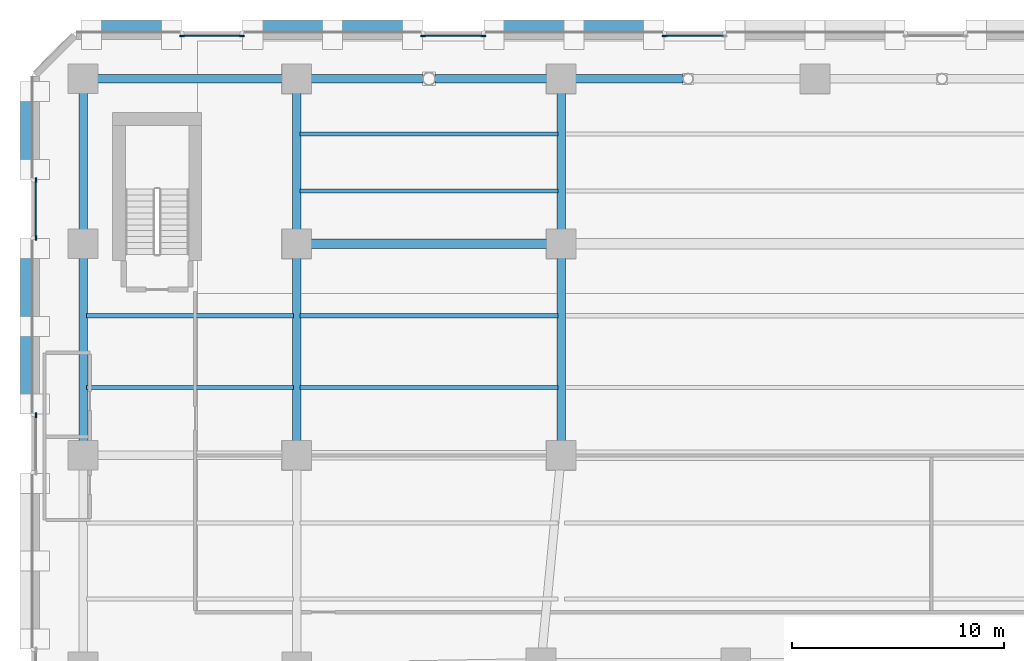
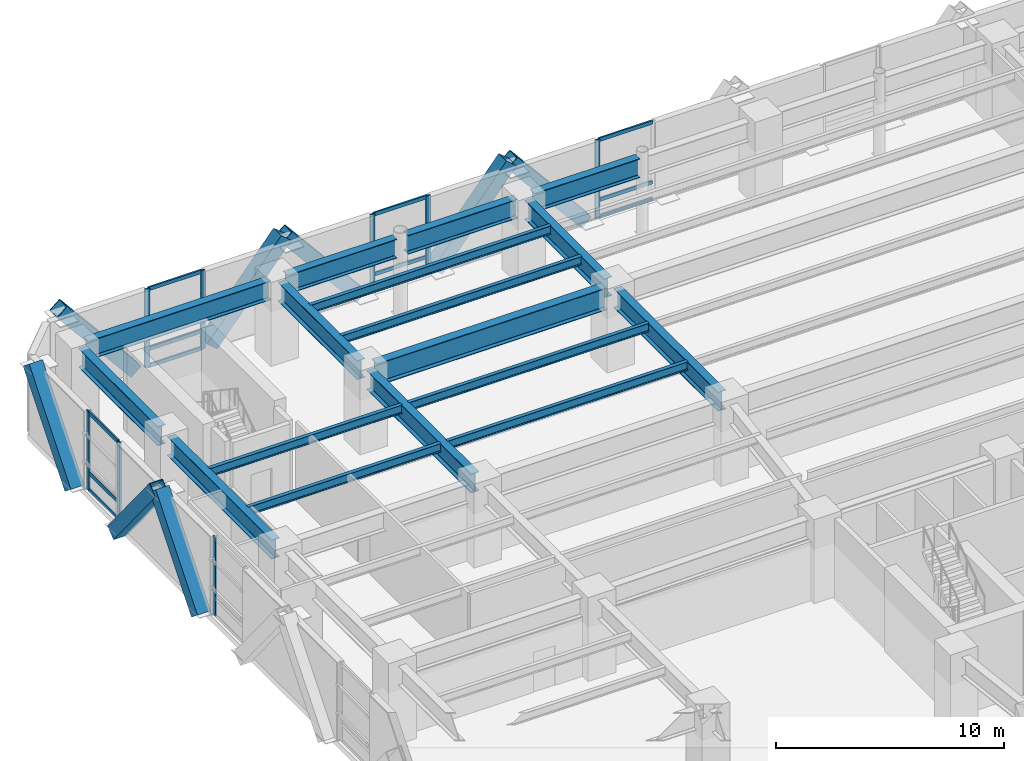
# One storey, part 8 of 26: 28 members, 17 beams, 5 elements without a shape of their own.
"""IFC4 building model written with IfcOpenShell, lengths in metres."""

from ifc_helpers import new_model, si_unit, direction, frame, origin, origin_2d, place, context, subcontext, project, spatial, rectangle, hollow_rectangle, i_section, extrude, material, material_profile, profile_set, type_object, element, aggregate, save


model = new_model("IFC4")

# Units and contexts
model_context = context("Model", 3, precision=1e-05, world=origin(), true_north=direction((0.0, 1.0)))
body_context = subcontext(model_context, "Body", "Model", "MODEL_VIEW")
ifc_project = project(units=[si_unit("LENGTHUNIT", "METRE"), si_unit("AREAUNIT", "SQUARE_METRE"), si_unit("VOLUMEUNIT", "CUBIC_METRE"), si_unit("PLANEANGLEUNIT", "RADIAN"), si_unit("MASSUNIT", "GRAM", prefix="KILO")], contexts=[model_context])

# Site, building, storey
site_placement = place(None, origin())
site = spatial("IfcSite", under=ifc_project, at=site_placement, CompositionType="ELEMENT")
building_placement = place(site_placement, origin())
building = spatial("IfcBuilding", under=site, at=building_placement, Name="Quenlor Broadcast Tower", CompositionType="ELEMENT")
storey_placement = place(building_placement, frame((0.0, 0.0, 14.0)))
storey = spatial("IfcBuildingStorey", under=building, at=storey_placement, Name="L03", CompositionType="ELEMENT", Elevation=14.0)

# Curtain wall, members
ifc_material_1 = material(Name="Architectural Terracotta and Low-E Glazing", Category="masonry")
curtain_wall_type = type_object("IfcCurtainWallType", Name="Station Concourse and Crown Terracotta Curtain Wall", PredefinedType="NOTDEFINED", material=ifc_material_1)
curtain_wall_1_placement = place(storey_placement, origin())
curtain_wall_1 = element("IfcCurtainWall", 1, at=curtain_wall_1_placement, inside=storey, type_object=curtain_wall_type, Name="L03 Curtain Wall CW6 (L03-N-FULL-G1)", PredefinedType="NOTDEFINED")
ifc_material_2 = material(Name="Aluminium 6063-T6", Category="aluminium")
ifc_material_profile_1 = material_profile(ifc_material_2, rectangle(XDim=0.08203125, YDim=0.239990234375, at=origin_2d()))
ifc_profile_set_1 = profile_set([ifc_material_profile_1], Name="Aluminium 6063-T6 MULL82x240")
member_type_1 = type_object("IfcMemberType", Name="CW6 Aluminium Mullion MULL_CW6", PredefinedType="MULLION", material=ifc_profile_set_1)
member_1_placement = place(storey_placement, frame((-29.909423828125, 24.820068359375, 0.0), z_axis=(0.0, 0.0, 1.0), x_axis=(0.0, 1.0, 0.0)))
member_1 = element("IfcMember", 2, at=member_1_placement, type_object=member_type_1, Name="CW6 mullion 1", PredefinedType="MULLION", context=body_context, shape_type="SweptSolid", body=[
    extrude(rectangle(XDim=0.08203125, YDim=0.239990234375, at=origin_2d()), origin(), (0.0, 0.0, 1.0), 4.199951171875),
])
member_2_placement = place(storey_placement, frame((-27.090576171875, 24.820068359375, 0.0), z_axis=(0.0, 0.0, 1.0), x_axis=(0.0, 1.0, 0.0)))
member_2 = element("IfcMember", 3, at=member_2_placement, type_object=member_type_1, Name="CW6 mullion 2", PredefinedType="MULLION", context=body_context, shape_type="SweptSolid", body=[
    extrude(rectangle(XDim=0.08203125, YDim=0.239990234375, at=origin_2d()), origin(), (0.0, 0.0, 1.0), 4.199951171875),
])

curtain_wall_2_placement = place(storey_placement, origin())
curtain_wall_2 = element("IfcCurtainWall", 4, at=curtain_wall_2_placement, inside=storey, type_object=curtain_wall_type, Name="L03 Curtain Wall CW6 (L03-N-FULL-G2)", PredefinedType="NOTDEFINED")
member_3_placement = place(storey_placement, frame((-18.509521484375, 24.820068359375, 0.0), z_axis=(0.0, 0.0, 1.0), x_axis=(0.0, 1.0, 0.0)))
member_3 = element("IfcMember", 5, at=member_3_placement, type_object=member_type_1, Name="CW6 mullion 1", PredefinedType="MULLION", context=body_context, shape_type="SweptSolid", body=[
    extrude(rectangle(XDim=0.08203125, YDim=0.239990234375, at=origin_2d()), origin(), (0.0, 0.0, 1.0), 4.199951171875),
])
member_4_placement = place(storey_placement, frame((-15.6904296875, 24.820068359375, 0.0), z_axis=(0.0, 0.0, 1.0), x_axis=(0.0, 1.0, 0.0)))
member_4 = element("IfcMember", 6, at=member_4_placement, type_object=member_type_1, Name="CW6 mullion 2", PredefinedType="MULLION", context=body_context, shape_type="SweptSolid", body=[
    extrude(rectangle(XDim=0.08203125, YDim=0.239990234375, at=origin_2d()), origin(), (0.0, 0.0, 1.0), 4.199951171875),
])

# Curtain wall, member
curtain_wall_3_placement = place(storey_placement, origin())
curtain_wall_3 = element("IfcCurtainWall", 7, at=curtain_wall_3_placement, inside=storey, type_object=curtain_wall_type, Name="L03 Curtain Wall CW6 (L03-N-FULL-G3)", PredefinedType="NOTDEFINED")
member_5_placement = place(storey_placement, frame((-7.109619140625, 24.820068359375, 0.0), z_axis=(0.0, 0.0, 1.0), x_axis=(0.0, 1.0, 0.0)))
member_5 = element("IfcMember", 8, at=member_5_placement, type_object=member_type_1, Name="CW6 mullion 1", PredefinedType="MULLION", context=body_context, shape_type="SweptSolid", body=[
    extrude(rectangle(XDim=0.08203125, YDim=0.239990234375, at=origin_2d()), origin(), (0.0, 0.0, 1.0), 4.199951171875),
])

curtain_wall_4_placement = place(storey_placement, origin())
curtain_wall_4 = element("IfcCurtainWall", 9, at=curtain_wall_4_placement, inside=storey, type_object=curtain_wall_type, Name="L03 Curtain Wall CW6 (L03-W-FULL-G3)", PredefinedType="NOTDEFINED")
member_6_placement = place(storey_placement, frame((-36.820068359375, 6.90625, 0.0), z_axis=(0.0, 0.0, 1.0), x_axis=(-1.0, 0.0, 0.0)))
member_6 = element("IfcMember", 10, at=member_6_placement, type_object=member_type_1, Name="CW6 mullion 2", PredefinedType="MULLION", context=body_context, shape_type="SweptSolid", body=[
    extrude(rectangle(XDim=0.08203125, YDim=0.239990234375, at=origin_2d()), origin(), (0.0, 0.0, 1.0), 4.199951171875),
])
aggregate(curtain_wall_4, [member_6])

# Curtain wall, members
curtain_wall_5_placement = place(storey_placement, origin())
curtain_wall_5 = element("IfcCurtainWall", 11, at=curtain_wall_5_placement, inside=storey, type_object=curtain_wall_type, Name="L03 Curtain Wall CW6 (L03-W-FULL-G4)", PredefinedType="NOTDEFINED")
member_7_placement = place(storey_placement, frame((-36.820068359375, 15.293701171875, 0.0), z_axis=(0.0, 0.0, 1.0), x_axis=(-1.0, 0.0, 0.0)))
member_7 = element("IfcMember", 12, at=member_7_placement, type_object=member_type_1, Name="CW6 mullion 1", PredefinedType="MULLION", context=body_context, shape_type="SweptSolid", body=[
    extrude(rectangle(XDim=0.08203125, YDim=0.239990234375, at=origin_2d()), origin(), (0.0, 0.0, 1.0), 4.199951171875),
])
member_8_placement = place(storey_placement, frame((-36.820068359375, 18.00634765625, 0.0), z_axis=(0.0, 0.0, 1.0), x_axis=(-1.0, 0.0, 0.0)))
member_8 = element("IfcMember", 13, at=member_8_placement, type_object=member_type_1, Name="CW6 mullion 2", PredefinedType="MULLION", context=body_context, shape_type="SweptSolid", body=[
    extrude(rectangle(XDim=0.08203125, YDim=0.239990234375, at=origin_2d()), origin(), (0.0, 0.0, 1.0), 4.199951171875),
])

# Member
ifc_material_3 = material(Name="Aluminium 6063-T6", Category="aluminium")
ifc_material_profile_2 = material_profile(ifc_material_3, rectangle(XDim=0.08203125, YDim=0.195068359375, at=origin_2d()))
ifc_profile_set_2 = profile_set([ifc_material_profile_2], Name="Aluminium 6063-T6 TRAN82x195")
member_type_2 = type_object("IfcMemberType", Name="CW6 Aluminium Transom TRAN_CW6", PredefinedType="USERDEFINED", material=ifc_profile_set_2)
member_9_placement = place(storey_placement, frame((-29.868408203125, 24.820068359375, 0.041015625), z_axis=(1.0, 0.0, 0.0), x_axis=(0.0, 1.0, 0.0)))
member_9 = element("IfcMember", 14, at=member_9_placement, type_object=member_type_2, Name="CW6 transom 1.1", ObjectType="TRANSOM", PredefinedType="USERDEFINED", context=body_context, shape_type="SweptSolid", body=[
    extrude(rectangle(XDim=0.08203125, YDim=0.195068359375, at=origin_2d()), origin(), (0.0, 0.0, 1.0), 2.73681640625),
])

member_10_placement = place(storey_placement, frame((-29.868408203125, 24.820068359375, 0.949951171875), z_axis=(1.0, 0.0, 0.0), x_axis=(0.0, 1.0, 0.0)))
member_10 = element("IfcMember", 15, at=member_10_placement, type_object=member_type_2, Name="CW6 transom 1.2", ObjectType="TRANSOM", PredefinedType="USERDEFINED", context=body_context, shape_type="SweptSolid", body=[
    extrude(rectangle(XDim=0.08203125, YDim=0.195068359375, at=origin_2d()), origin(), (0.0, 0.0, 1.0), 2.73681640625),
])

member_11_placement = place(storey_placement, frame((-29.868408203125, 24.820068359375, 4.158935546875), z_axis=(1.0, 0.0, 0.0), x_axis=(0.0, 1.0, 0.0)))
member_11 = element("IfcMember", 16, at=member_11_placement, type_object=member_type_2, Name="CW6 transom 1.3", ObjectType="TRANSOM", PredefinedType="USERDEFINED", context=body_context, shape_type="SweptSolid", body=[
    extrude(rectangle(XDim=0.08203125, YDim=0.195068359375, at=origin_2d()), origin(), (0.0, 0.0, 1.0), 2.73681640625),
])

aggregate(curtain_wall_1, [member_1, member_2, member_9, member_10, member_11])

member_12_placement = place(storey_placement, frame((-18.468505859375, 24.820068359375, 0.041015625), z_axis=(1.0, 0.0, 0.0), x_axis=(0.0, 1.0, 0.0)))
member_12 = element("IfcMember", 17, at=member_12_placement, type_object=member_type_2, Name="CW6 transom 1.1", ObjectType="TRANSOM", PredefinedType="USERDEFINED", context=body_context, shape_type="SweptSolid", body=[
    extrude(rectangle(XDim=0.08203125, YDim=0.195068359375, at=origin_2d()), origin(), (0.0, 0.0, 1.0), 2.737060546875),
])

member_13_placement = place(storey_placement, frame((-18.468505859375, 24.820068359375, 0.949951171875), z_axis=(1.0, 0.0, 0.0), x_axis=(0.0, 1.0, 0.0)))
member_13 = element("IfcMember", 18, at=member_13_placement, type_object=member_type_2, Name="CW6 transom 1.2", ObjectType="TRANSOM", PredefinedType="USERDEFINED", context=body_context, shape_type="SweptSolid", body=[
    extrude(rectangle(XDim=0.08203125, YDim=0.195068359375, at=origin_2d()), origin(), (0.0, 0.0, 1.0), 2.737060546875),
])

member_14_placement = place(storey_placement, frame((-18.468505859375, 24.820068359375, 4.158935546875), z_axis=(1.0, 0.0, 0.0), x_axis=(0.0, 1.0, 0.0)))
member_14 = element("IfcMember", 19, at=member_14_placement, type_object=member_type_2, Name="CW6 transom 1.3", ObjectType="TRANSOM", PredefinedType="USERDEFINED", context=body_context, shape_type="SweptSolid", body=[
    extrude(rectangle(XDim=0.08203125, YDim=0.195068359375, at=origin_2d()), origin(), (0.0, 0.0, 1.0), 2.737060546875),
])

aggregate(curtain_wall_2, [member_3, member_4, member_12, member_13, member_14])

member_15_placement = place(storey_placement, frame((-7.068603515625, 24.820068359375, 0.041015625), z_axis=(1.0, 0.0, 0.0), x_axis=(0.0, 1.0, 0.0)))
member_15 = element("IfcMember", 20, at=member_15_placement, type_object=member_type_2, Name="CW6 transom 1.1", ObjectType="TRANSOM", PredefinedType="USERDEFINED", context=body_context, shape_type="SweptSolid", body=[
    extrude(rectangle(XDim=0.08203125, YDim=0.195068359375, at=origin_2d()), origin(), (0.0, 0.0, 1.0), 2.737060546875),
])

member_16_placement = place(storey_placement, frame((-7.068603515625, 24.820068359375, 0.949951171875), z_axis=(1.0, 0.0, 0.0), x_axis=(0.0, 1.0, 0.0)))
member_16 = element("IfcMember", 21, at=member_16_placement, type_object=member_type_2, Name="CW6 transom 1.2", ObjectType="TRANSOM", PredefinedType="USERDEFINED", context=body_context, shape_type="SweptSolid", body=[
    extrude(rectangle(XDim=0.08203125, YDim=0.195068359375, at=origin_2d()), origin(), (0.0, 0.0, 1.0), 2.737060546875),
])

member_17_placement = place(storey_placement, frame((-7.068603515625, 24.820068359375, 4.158935546875), z_axis=(1.0, 0.0, 0.0), x_axis=(0.0, 1.0, 0.0)))
member_17 = element("IfcMember", 22, at=member_17_placement, type_object=member_type_2, Name="CW6 transom 1.3", ObjectType="TRANSOM", PredefinedType="USERDEFINED", context=body_context, shape_type="SweptSolid", body=[
    extrude(rectangle(XDim=0.08203125, YDim=0.195068359375, at=origin_2d()), origin(), (0.0, 0.0, 1.0), 2.737060546875),
])

aggregate(curtain_wall_3, [member_5, member_15, member_16, member_17])

member_18_placement = place(storey_placement, frame((-36.820068359375, 15.334716796875, 0.041015625), z_axis=(0.0, 1.0, 0.0), x_axis=(-1.0, 0.0, 0.0)))
member_18 = element("IfcMember", 23, at=member_18_placement, type_object=member_type_2, Name="CW6 transom 1.1", ObjectType="TRANSOM", PredefinedType="USERDEFINED", context=body_context, shape_type="SweptSolid", body=[
    extrude(rectangle(XDim=0.08203125, YDim=0.195068359375, at=origin_2d()), origin(), (0.0, 0.0, 1.0), 2.630615234375),
])

member_19_placement = place(storey_placement, frame((-36.820068359375, 15.334716796875, 0.949951171875), z_axis=(0.0, 1.0, 0.0), x_axis=(-1.0, 0.0, 0.0)))
member_19 = element("IfcMember", 24, at=member_19_placement, type_object=member_type_2, Name="CW6 transom 1.2", ObjectType="TRANSOM", PredefinedType="USERDEFINED", context=body_context, shape_type="SweptSolid", body=[
    extrude(rectangle(XDim=0.08203125, YDim=0.195068359375, at=origin_2d()), origin(), (0.0, 0.0, 1.0), 2.630615234375),
])

member_20_placement = place(storey_placement, frame((-36.820068359375, 15.334716796875, 4.158935546875), z_axis=(0.0, 1.0, 0.0), x_axis=(-1.0, 0.0, 0.0)))
member_20 = element("IfcMember", 25, at=member_20_placement, type_object=member_type_2, Name="CW6 transom 1.3", ObjectType="TRANSOM", PredefinedType="USERDEFINED", context=body_context, shape_type="SweptSolid", body=[
    extrude(rectangle(XDim=0.08203125, YDim=0.195068359375, at=origin_2d()), origin(), (0.0, 0.0, 1.0), 2.630615234375),
])

aggregate(curtain_wall_5, [member_7, member_8, member_18, member_19, member_20])

# Members
ifc_material_4 = material(Name="Steel S355", Category="steel")
ifc_material_profile_3 = material_profile(ifc_material_4, hollow_rectangle(XDim=0.679931640625, YDim=0.679931640625, WallThickness=0.034912109375, at=origin_2d()))
ifc_profile_set_3 = profile_set([ifc_material_profile_3], Name="Steel S355 RHS680x680x35")
member_type_3 = type_object("IfcMemberType", Name="Perimeter Diagonal Lattice Brace Z1 Steel S355 RHS680x35", PredefinedType="BRACE", material=ifc_profile_set_3)
for number, where, z_axis, x_axis, name in (
    (26, (-26.5771484375, 25.215087890625, -0.1201171875), (0.640626831312, 0.0, 0.767852370578), (0.0, 1.0, 0.0), "L03 Podium Diamond Lattice N-P1S"),
    (27, (-30.4228515625, 25.215087890625, -0.1201171875), (-0.640626831312, 0.0, 0.767852370578), (0.0, -1.0, 0.0), "L03 Podium Diamond Lattice N-P1B"),
    (28, (-15.17724609375, 25.215087890625, -0.1201171875), (0.640626831312, 0.0, 0.767852370578), (0.0, 1.0, 0.0), "L03 Podium Diamond Lattice N-P2S"),
    (29, (-19.022705078125, 25.215087890625, -0.1201171875), (-0.640626831312, 0.0, 0.767852370578), (0.0, -1.0, 0.0), "L03 Podium Diamond Lattice N-P2B"),
    (30, (-7.622802734375, 25.215087890625, -0.1201171875), (-0.640626831312, 0.0, 0.767852370578), (0.0, -1.0, 0.0), "L03 Podium Diamond Lattice N-P3B"),
):
    element("IfcMember", number, at=place(storey_placement, frame(where, z_axis=z_axis, x_axis=x_axis)), inside=storey, type_object=member_type_3, Name=name, PredefinedType="BRACE", context=body_context, shape_type="SweptSolid", body=[
        extrude(hollow_rectangle(XDim=0.679931640625, YDim=0.679931640625, WallThickness=0.034912109375, at=origin_2d()), origin(), (0.0, 0.0, 1.0), 5.860595703125),
    ])
member_21_placement = place(storey_placement, frame((-37.215087890625, 7.422119140625, -0.1201171875), z_axis=(0.0, 0.630541894648, 0.776155215851), x_axis=(-1.0, 0.0, 0.0)))
element("IfcMember", 31, at=member_21_placement, inside=storey, type_object=member_type_3, Name="L03 Podium Diamond Lattice W-P3S", PredefinedType="BRACE", context=body_context, shape_type="SweptSolid", body=[
    extrude(hollow_rectangle(XDim=0.679931640625, YDim=0.679931640625, WallThickness=0.034912109375, at=origin_2d()), origin(), (0.0, 0.0, 1.0), 5.7978515625),
])
for number, where, z_axis, x_axis, name in (
    (32, (-37.215087890625, 18.522216796875, -0.1201171875), (0.0, 0.630516526394, 0.776175824117), (-1.0, 0.0, 0.0), "L03 Podium Diamond Lattice W-P4S"),
    (33, (-37.215087890625, 14.77783203125, -0.1201171875), (0.0, -0.630516526394, 0.776175824117), (1.0, 0.0, 0.0), "L03 Podium Diamond Lattice W-P4B"),
):
    element("IfcMember", number, at=place(storey_placement, frame(where, z_axis=z_axis, x_axis=x_axis)), inside=storey, type_object=member_type_3, Name=name, PredefinedType="BRACE", context=body_context, shape_type="SweptSolid", body=[
        extrude(hollow_rectangle(XDim=0.679931640625, YDim=0.679931640625, WallThickness=0.034912109375, at=origin_2d()), origin(), (0.0, 0.0, 1.0), 5.797607421875),
    ])

# Beams
ifc_material_5 = material(Name="Steel S355", Category="steel")
ifc_material_profile_4 = material_profile(ifc_material_5, i_section(OverallWidth=0.39990234375, OverallDepth=1.02392578125, WebThickness=0.01611328125, FlangeThickness=0.031982421875, FilletRadius=0.01611328125, at=origin_2d()))
ifc_profile_set_4 = profile_set([ifc_material_profile_4], Name="Steel S355 1000WB322")
beam_type_1 = type_object("IfcBeamType", Name="Podium Concourse Girder Steel S355 1000WB322", PredefinedType="BEAM", material=ifc_profile_set_4)
beam_1_placement = place(storey_placement, frame((-34.179931640625, 22.800048828125, 3.68798828125), z_axis=(1.0, 0.0, 0.0), x_axis=(0.0, 1.0, 0.0)))
element("IfcBeam", 34, at=beam_1_placement, inside=storey, type_object=beam_type_1, Name="L03 Podium Girder 24", PredefinedType="BEAM", context=body_context, shape_type="SweptSolid", body=[
    extrude(i_section(OverallWidth=0.39990234375, OverallDepth=1.02392578125, WebThickness=0.01611328125, FlangeThickness=0.031982421875, FilletRadius=0.01611328125, at=origin_2d()), origin(), (0.0, 0.0, 1.0), 9.260009765625),
])
for number, where, z_axis, x_axis, name in (
    (35, (-24.080078125, 22.800048828125, 3.68798828125), (1.0, 0.0, 0.0), (0.0, 1.0, 0.0), "L03 Podium Girder 25"),
    (36, (-17.965087890625, 22.800048828125, 3.68798828125), (1.0, 0.0, 0.0), (0.0, 1.0, 0.0), "L03 Podium Girder 26"),
):
    element("IfcBeam", number, at=place(storey_placement, frame(where, z_axis=z_axis, x_axis=x_axis)), inside=storey, type_object=beam_type_1, Name=name, PredefinedType="BEAM", context=body_context, shape_type="SweptSolid", body=[
        extrude(i_section(OverallWidth=0.39990234375, OverallDepth=1.02392578125, WebThickness=0.01611328125, FlangeThickness=0.031982421875, FilletRadius=0.01611328125, at=origin_2d()), origin(), (0.0, 0.0, 1.0), 5.545166015625),
    ])
beam_2_placement = place(storey_placement, frame((-11.580078125, 22.800048828125, 3.68798828125), z_axis=(1.0, 0.0, 0.0), x_axis=(0.0, 1.0, 0.0)))
element("IfcBeam", 37, at=beam_2_placement, inside=storey, type_object=beam_type_1, Name="L03 Podium Girder 27", PredefinedType="BEAM", context=body_context, shape_type="SweptSolid", body=[
    extrude(i_section(OverallWidth=0.39990234375, OverallDepth=1.02392578125, WebThickness=0.01611328125, FlangeThickness=0.031982421875, FilletRadius=0.01611328125, at=origin_2d()), origin(), (0.0, 0.0, 1.0), 5.34619140625),
])
beam_3_placement = place(storey_placement, frame((-34.60009765625, 5.419921875, 3.68798828125), z_axis=(0.0, 1.0, 0.0), x_axis=(-1.0, 0.0, 0.0)))
element("IfcBeam", 38, at=beam_3_placement, inside=storey, type_object=beam_type_1, Name="L03 Podium Girder 37", PredefinedType="BEAM", context=body_context, shape_type="SweptSolid", body=[
    extrude(i_section(OverallWidth=0.39990234375, OverallDepth=1.02392578125, WebThickness=0.01611328125, FlangeThickness=0.031982421875, FilletRadius=0.01611328125, at=origin_2d()), origin(), (0.0, 0.0, 1.0), 9.16015625),
])
beam_4_placement = place(storey_placement, frame((-34.60009765625, 15.419921875, 3.68798828125), z_axis=(0.0, 1.0, 0.0), x_axis=(-1.0, 0.0, 0.0)))
element("IfcBeam", 39, at=beam_4_placement, inside=storey, type_object=beam_type_1, Name="L03 Podium Girder 38", PredefinedType="BEAM", context=body_context, shape_type="SweptSolid", body=[
    extrude(i_section(OverallWidth=0.39990234375, OverallDepth=1.02392578125, WebThickness=0.01611328125, FlangeThickness=0.031982421875, FilletRadius=0.01611328125, at=origin_2d()), origin(), (0.0, 0.0, 1.0), 6.9599609375),
])
beam_5_placement = place(storey_placement, frame((-24.5, 5.419921875, 3.68798828125), z_axis=(0.0, 1.0, 0.0), x_axis=(-1.0, 0.0, 0.0)))
element("IfcBeam", 40, at=beam_5_placement, inside=storey, type_object=beam_type_1, Name="L03 Podium Girder 42", PredefinedType="BEAM", context=body_context, shape_type="SweptSolid", body=[
    extrude(i_section(OverallWidth=0.39990234375, OverallDepth=1.02392578125, WebThickness=0.01611328125, FlangeThickness=0.031982421875, FilletRadius=0.01611328125, at=origin_2d()), origin(), (0.0, 0.0, 1.0), 9.16015625),
])
beam_6_placement = place(storey_placement, frame((-24.5, 15.419921875, 3.68798828125), z_axis=(0.0, 1.0, 0.0), x_axis=(-1.0, 0.0, 0.0)))
element("IfcBeam", 41, at=beam_6_placement, inside=storey, type_object=beam_type_1, Name="L03 Podium Girder 43", PredefinedType="BEAM", context=body_context, shape_type="SweptSolid", body=[
    extrude(i_section(OverallWidth=0.39990234375, OverallDepth=1.02392578125, WebThickness=0.01611328125, FlangeThickness=0.031982421875, FilletRadius=0.01611328125, at=origin_2d()), origin(), (0.0, 0.0, 1.0), 6.9599609375),
])
beam_7_placement = place(storey_placement, frame((-12.0, 5.419921875, 3.68798828125), z_axis=(0.0, 1.0, 0.0), x_axis=(-1.0, 0.0, 0.0)))
element("IfcBeam", 42, at=beam_7_placement, inside=storey, type_object=beam_type_1, Name="L03 Podium Girder 54", PredefinedType="BEAM", context=body_context, shape_type="SweptSolid", body=[
    extrude(i_section(OverallWidth=0.39990234375, OverallDepth=1.02392578125, WebThickness=0.01611328125, FlangeThickness=0.031982421875, FilletRadius=0.01611328125, at=origin_2d()), origin(), (0.0, 0.0, 1.0), 9.16015625),
])
beam_8_placement = place(storey_placement, frame((-12.0, 15.419921875, 3.68798828125), z_axis=(0.0, 1.0, 0.0), x_axis=(-1.0, 0.0, 0.0)))
element("IfcBeam", 43, at=beam_8_placement, inside=storey, type_object=beam_type_1, Name="L03 Podium Girder 55", PredefinedType="BEAM", context=body_context, shape_type="SweptSolid", body=[
    extrude(i_section(OverallWidth=0.39990234375, OverallDepth=1.02392578125, WebThickness=0.01611328125, FlangeThickness=0.031982421875, FilletRadius=0.01611328125, at=origin_2d()), origin(), (0.0, 0.0, 1.0), 6.9599609375),
])
ifc_material_6 = material(Name="Steel S355", Category="steel")
ifc_material_profile_5 = material_profile(ifc_material_6, i_section(OverallWidth=0.18994140625, OverallDepth=0.453857421875, WebThickness=0.008544921875, FlangeThickness=0.0126953125, FilletRadius=0.011474609375, at=origin_2d()))
ifc_profile_set_5 = profile_set([ifc_material_profile_5], Name="Steel S355 460UB67.1")
beam_type_2 = type_object("IfcBeamType", Name="Podium Floor Joist Steel S355 460UB67.1", PredefinedType="JOIST", material=ifc_profile_set_5)
beam_9_placement = place(storey_placement, frame((-34.43994140625, 8.199951171875, 3.97314453125), z_axis=(1.0, 0.0, 0.0), x_axis=(0.0, 1.0, 0.0)))
element("IfcBeam", 44, at=beam_9_placement, inside=storey, type_object=beam_type_2, Name="L03 Podium Floor Joist 1", PredefinedType="JOIST", context=body_context, shape_type="SweptSolid", body=[
    extrude(i_section(OverallWidth=0.18994140625, OverallDepth=0.453857421875, WebThickness=0.008544921875, FlangeThickness=0.0126953125, FilletRadius=0.011474609375, at=origin_2d()), origin(), (0.0, 0.0, 1.0), 9.780029296875),
])
beam_10_placement = place(storey_placement, frame((-24.340087890625, 8.199951171875, 3.97314453125), z_axis=(1.0, 0.0, 0.0), x_axis=(0.0, 1.0, 0.0)))
element("IfcBeam", 45, at=beam_10_placement, inside=storey, type_object=beam_type_2, Name="L03 Podium Floor Joist 2", PredefinedType="JOIST", context=body_context, shape_type="SweptSolid", body=[
    extrude(i_section(OverallWidth=0.18994140625, OverallDepth=0.453857421875, WebThickness=0.008544921875, FlangeThickness=0.0126953125, FilletRadius=0.011474609375, at=origin_2d()), origin(), (0.0, 0.0, 1.0), 12.18017578125),
])
beam_11_placement = place(storey_placement, frame((-34.43994140625, 11.60009765625, 3.97314453125), z_axis=(1.0, 0.0, 0.0), x_axis=(0.0, 1.0, 0.0)))
element("IfcBeam", 46, at=beam_11_placement, inside=storey, type_object=beam_type_2, Name="L03 Podium Floor Joist 6", PredefinedType="JOIST", context=body_context, shape_type="SweptSolid", body=[
    extrude(i_section(OverallWidth=0.18994140625, OverallDepth=0.453857421875, WebThickness=0.008544921875, FlangeThickness=0.0126953125, FilletRadius=0.011474609375, at=origin_2d()), origin(), (0.0, 0.0, 1.0), 9.780029296875),
])
for number, where, z_axis, x_axis, name in (
    (47, (-24.340087890625, 11.60009765625, 3.97314453125), (1.0, 0.0, 0.0), (0.0, 1.0, 0.0), "L03 Podium Floor Joist 7"),
    (48, (-24.340087890625, 17.5, 3.97314453125), (1.0, 0.0, 0.0), (0.0, 1.0, 0.0), "L03 Podium Floor Joist 12"),
    (49, (-24.340087890625, 20.199951171875, 3.97314453125), (1.0, 0.0, 0.0), (0.0, 1.0, 0.0), "L03 Podium Floor Joist 17"),
):
    element("IfcBeam", number, at=place(storey_placement, frame(where, z_axis=z_axis, x_axis=x_axis)), inside=storey, type_object=beam_type_2, Name=name, PredefinedType="JOIST", context=body_context, shape_type="SweptSolid", body=[
        extrude(i_section(OverallWidth=0.18994140625, OverallDepth=0.453857421875, WebThickness=0.008544921875, FlangeThickness=0.0126953125, FilletRadius=0.011474609375, at=origin_2d()), origin(), (0.0, 0.0, 1.0), 12.18017578125),
    ])
ifc_material_7 = material(Name="Steel S355", Category="steel")
ifc_material_profile_6 = material_profile(ifc_material_7, i_section(OverallWidth=0.449951171875, OverallDepth=1.18798828125, WebThickness=0.01806640625, FlangeThickness=0.031982421875, FilletRadius=0.01611328125, at=origin_2d()))
ifc_profile_set_6 = profile_set([ifc_material_profile_6], Name="Steel S355 1200WB392")
beam_type_3 = type_object("IfcBeamType", Name="Podium Secondary Studio Girder Steel S355 1200WB392", PredefinedType="BEAM", material=ifc_profile_set_6)
beam_12_placement = place(storey_placement, frame((-24.080078125, 15.0, 3.60595703125), z_axis=(1.0, 0.0, 0.0), x_axis=(0.0, 1.0, 0.0)))
element("IfcBeam", 50, at=beam_12_placement, inside=storey, type_object=beam_type_3, Name="L03 Podium Girder 20", PredefinedType="BEAM", context=body_context, shape_type="SweptSolid", body=[
    extrude(i_section(OverallWidth=0.449951171875, OverallDepth=1.18798828125, WebThickness=0.01806640625, FlangeThickness=0.031982421875, FilletRadius=0.01611328125, at=origin_2d()), origin(), (0.0, 0.0, 1.0), 11.66015625),
])

save(model, "model.ifc")
